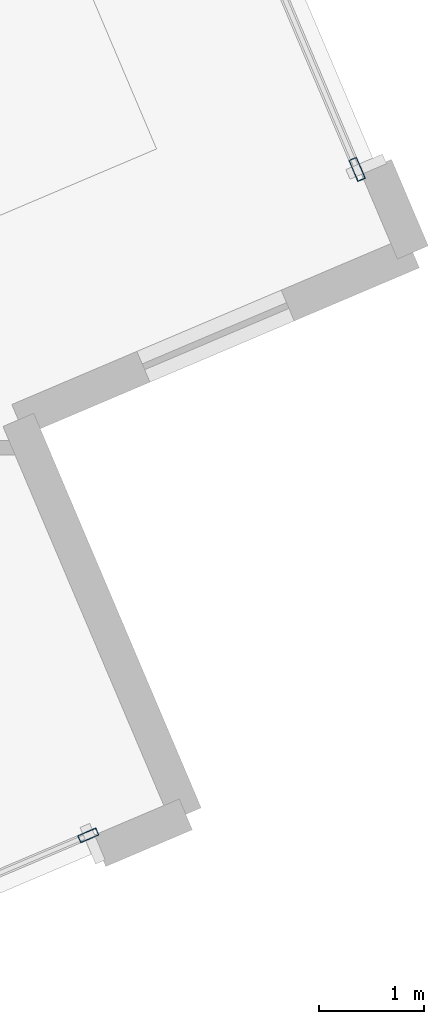
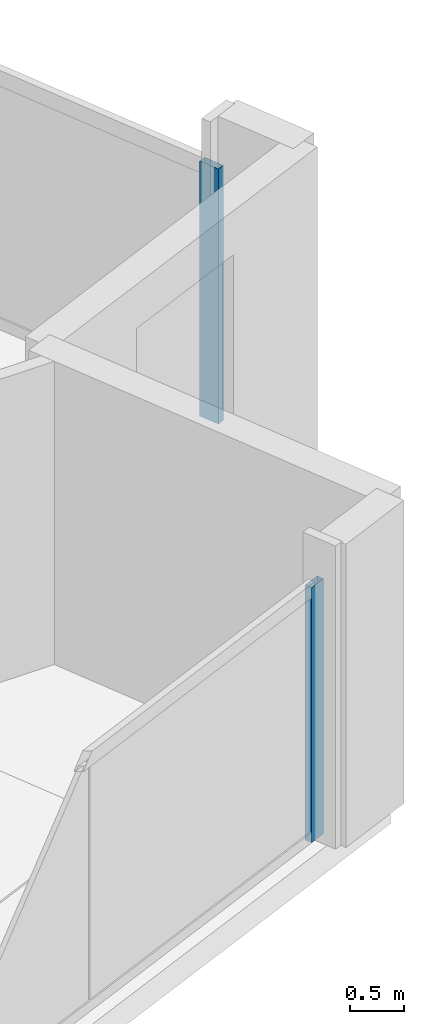
# One storey, part 12 of 34: 2 members, 2 elements without a shape of their own.
"""IFC4 building model written with IfcOpenShell, lengths in metres."""

import ifcopenshell
import ifcopenshell.guid

model = None  # the IFC model being written
_history = None  # IfcOwnerHistory: only IFC2X3 demands one
_inside = {}  # id of a spatial element -> (the spatial element, [elements in it])
_under = {}  # id of a project, library or spatial element -> (it, [spatial elements below it])
_declared = {}  # id of a project -> (the project, [libraries it declares])
_typed = {}  # id of a type object -> (the type object, [elements of that type])
_made_of = {}  # id of a material, layer set ... -> (it, [elements and type objects made of it])


def new_model(schema):
    """Start an empty IFC model of exactly this schema.

    Asked for "IFC4X3", IfcOpenShell would pick the latest addendum, in which some entities
    have other attributes; the version numbers below select the first issue.
    IFC2X3 requires an IfcOwnerHistory on every rooted entity: one is made here for all.
    """
    global model, _history
    if schema == "IFC4X3":
        model = ifcopenshell.file(schema_version=(4, 3, 0, 0))
    else:
        model = ifcopenshell.file(schema=schema)
    _inside.clear()
    _under.clear()
    _declared.clear()
    _typed.clear()
    _made_of.clear()
    _history = None
    if model.schema == "IFC2X3":
        org = make("IfcOrganization", Name="unknown")
        user = make(
            "IfcPersonAndOrganization",
            ThePerson=make("IfcPerson", FamilyName="unknown"),
            TheOrganization=org,
        )
        app = make(
            "IfcApplication",
            ApplicationDeveloper=org,
            Version="unknown",
            ApplicationFullName="unknown",
            ApplicationIdentifier="unknown",
        )
        _history = make(
            "IfcOwnerHistory",
            OwningUser=user,
            OwningApplication=app,
            ChangeAction="ADDED",
            CreationDate=0,
        )
    return model


def make(cls, **values):
    """One entity of the class cls with the attributes given. An attribute that is None is left unset."""
    return model.create_entity(
        cls, **{name: value for name, value in values.items() if value is not None}
    )


def rooted(cls, **values):
    """An entity with a GlobalId (a new one), such as an element, a storey or a relation."""
    return make(cls, GlobalId=ifcopenshell.guid.new(), OwnerHistory=_history, **values)


def si_unit(unit_type, name, prefix=None):
    """IfcSIUnit, for example si_unit("LENGTHUNIT", "METRE", prefix="MILLI")."""
    return make("IfcSIUnit", UnitType=unit_type, Prefix=prefix, Name=name)


def assignment(units):
    """IfcUnitAssignment: the units of a project."""
    return None if units is None else make("IfcUnitAssignment", Units=units)


def point(xyz):
    """IfcCartesianPoint."""
    return None if xyz is None else make("IfcCartesianPoint", Coordinates=xyz)


def direction(xyz):
    """IfcDirection."""
    return None if xyz is None else make("IfcDirection", DirectionRatios=xyz)


def frame(location, z_axis=None, x_axis=None):
    """IfcAxis2Placement3D, a coordinate frame: its origin and axes. An axis left out is left unset."""
    return make(
        "IfcAxis2Placement3D",
        Location=point(location),
        Axis=direction(z_axis),
        RefDirection=direction(x_axis),
    )


def frame_2d(location, x_axis=None):
    """IfcAxis2Placement2D, a coordinate frame in the plane: its origin and x axis."""
    return make(
        "IfcAxis2Placement2D", Location=point(location), RefDirection=direction(x_axis)
    )


def origin():
    """The frame at (0, 0, 0) with its axes left unset."""
    return frame((0.0, 0.0, 0.0))


def origin_2d():
    """The frame at (0, 0) in the plane with its x axis left unset."""
    return frame_2d((0.0, 0.0))


def place(relative_to, where):
    """IfcLocalPlacement: puts the frame where relative to a parent placement (None: the world)."""
    return make(
        "IfcLocalPlacement", PlacementRelTo=relative_to, RelativePlacement=where
    )


def context(
    kind, dimensions, precision=None, world=None, true_north=None, identifier=None
):
    """IfcGeometricRepresentationContext, for example the 3D "Model" context."""
    return make(
        "IfcGeometricRepresentationContext",
        ContextIdentifier=identifier,
        ContextType=kind,
        CoordinateSpaceDimension=dimensions,
        Precision=precision,
        WorldCoordinateSystem=world,
        TrueNorth=true_north,
    )


def subcontext(parent, identifier, kind, view, scale=None):
    """IfcGeometricRepresentationSubContext, for example "Body" below "Model"."""
    return make(
        "IfcGeometricRepresentationSubContext",
        ContextIdentifier=identifier,
        ContextType=kind,
        ParentContext=parent,
        TargetScale=scale,
        TargetView=view,
    )


def project(units=None, contexts=None):
    """IfcProject with its units and contexts."""
    return rooted(
        "IfcProject",
        Name="project",
        RepresentationContexts=contexts,
        UnitsInContext=assignment(units),
    )


def spatial(cls, under=None, at=None, **own):
    """A site, building, storey or space (cls), placed at a placement, below another one or the project."""
    s = rooted(cls, ObjectPlacement=at, **own)
    if under is not None:
        _under.setdefault(under.id(), (under, []))[1].append(s)
    return s


def profile(cls, at=None, kind="AREA", **sizes):
    """A parametric profile (cls). Its sizes go by their IFC names, for example OverallWidth=200.0."""
    return make(cls, ProfileType=kind, Position=at, **sizes)


def hollow_rectangle(**sizes):
    """IfcRectangleHollowProfileDef."""
    return profile("IfcRectangleHollowProfileDef", **sizes)


def extrude(swept, where, along, depth):
    """IfcExtrudedAreaSolid: the profile swept, set in the frame where, extruded along a direction by depth."""
    return make(
        "IfcExtrudedAreaSolid",
        SweptArea=swept,
        Position=where,
        ExtrudedDirection=direction(along),
        Depth=depth,
    )


def shape(context_of_items, identifier, shape_type, items):
    """IfcShapeRepresentation: the items that make up one representation, for example the "Body"."""
    return make(
        "IfcShapeRepresentation",
        ContextOfItems=context_of_items,
        RepresentationIdentifier=identifier,
        RepresentationType=shape_type,
        Items=items,
    )


def material(Name=None, Category=None):
    """IfcMaterial."""
    return make("IfcMaterial", Name=Name, Category=Category)


def material_profile(
    of_material, cross_section, Name=None, Category=None, Priority=None
):
    """IfcMaterialProfile: a cross section and its material."""
    return make(
        "IfcMaterialProfile",
        Name=Name,
        Material=of_material,
        Profile=cross_section,
        Priority=Priority,
        Category=Category,
    )


def profile_set(profiles, Name=None, composite=None):
    """IfcMaterialProfileSet."""
    return make(
        "IfcMaterialProfileSet",
        Name=Name,
        MaterialProfiles=profiles,
        CompositeProfile=composite,
    )


def made_of(thing, what):
    """Note that an element or type object is made of a material, layer set ...; save() writes the relation."""
    if what is not None:
        _made_of.setdefault(what.id(), (what, []))[1].append(thing)
    return thing


def type_object(cls, material=None, **own):
    """A type object (cls), such as IfcWallType, which elements share."""
    return made_of(rooted(cls, **own), material)


def element(
    cls,
    number,
    at=None,
    inside=None,
    cuts=None,
    type_object=None,
    material=None,
    context=None,
    identifier="Body",
    shape_type=None,
    held_by="IfcProductDefinitionShape",
    body=None,
    shapes=None,
    **own,
):
    """One element of the class cls, such as IfcWall. Its Tag is "e" and its number.

    at: its placement. inside: the storey or other place that contains it. cuts: it is an
    opening in that element (IfcRelVoidsElement). A single representation is given by context,
    identifier, shape_type and body (its items); several are given by shapes. held_by: the class
    of the entity that holds the representations. save() writes the other relations.
    """
    e = rooted(cls, Tag="e%d" % number, ObjectPlacement=at, **own)
    if body is not None:
        shapes = [shape(context, identifier, shape_type, body)]
    if shapes is not None:
        e.Representation = make(held_by, Representations=shapes)
    if inside is not None:
        _inside.setdefault(inside.id(), (inside, []))[1].append(e)
    if cuts is not None:
        rooted(
            "IfcRelVoidsElement", RelatingBuildingElement=cuts, RelatedOpeningElement=e
        )
    if type_object is not None:
        _typed.setdefault(type_object.id(), (type_object, []))[1].append(e)
    return made_of(e, material)


def aggregate(whole, parts):
    """IfcRelAggregates: a whole, such as a stair, and the parts it consists of."""
    return rooted("IfcRelAggregates", RelatingObject=whole, RelatedObjects=parts)


def save(model, path):
    """Write the relations noted so far, then the file.

    IfcRelAggregates (storeys below a building ...), IfcRelContainedInSpatialStructure (elements
    in a storey), IfcRelDefinesByType, IfcRelAssociatesMaterial and IfcRelDeclares: one each for
    every whole, place, type object, material and project.
    """
    for whole, parts in _under.values():
        aggregate(whole, parts)
    for where, things in _inside.values():
        rooted(
            "IfcRelContainedInSpatialStructure",
            RelatedElements=things,
            RelatingStructure=where,
        )
    for kind, things in _typed.values():
        rooted("IfcRelDefinesByType", RelatedObjects=things, RelatingType=kind)
    for what, things in _made_of.values():
        rooted("IfcRelAssociatesMaterial", RelatedObjects=things, RelatingMaterial=what)
    for by, libraries in _declared.values():
        rooted("IfcRelDeclares", RelatingContext=by, RelatedDefinitions=libraries)
    model.write(path)


model = new_model("IFC4")

# Units and contexts
model_context = context("Model", 3, precision=1e-05, world=origin(), true_north=direction((0.0, 1.0)))
body_context = subcontext(model_context, "Body", "Model", "MODEL_VIEW")
ifc_project = project(units=[si_unit("LENGTHUNIT", "METRE"), si_unit("AREAUNIT", "SQUARE_METRE"), si_unit("VOLUMEUNIT", "CUBIC_METRE"), si_unit("PLANEANGLEUNIT", "RADIAN"), si_unit("MASSUNIT", "GRAM", prefix="KILO")], contexts=[model_context])

# Site, building, storey
site_placement = place(None, origin())
site = spatial("IfcSite", under=ifc_project, at=site_placement, CompositionType="ELEMENT")
building_placement = place(site_placement, origin())
building = spatial("IfcBuilding", under=site, at=building_placement, Name="Haldenkirk Collegiate Tower", CompositionType="ELEMENT")
storey_placement = place(building_placement, frame((0.0, 0.0, 105.449951171875)))
storey = spatial("IfcBuildingStorey", under=building, at=storey_placement, Name="L25", CompositionType="ELEMENT", Elevation=105.449951171875)

# Curtain wall, member
ifc_material = material(Name="Anodised architectural bronze aluminium", Category="aluminium")
curtain_wall_type_1 = type_object("IfcCurtainWallType", Name="CW-SYS2-CONCAVE", PredefinedType="USERDEFINED", material=ifc_material)
curtain_wall_1_placement = place(storey_placement, origin())
curtain_wall_1 = element("IfcCurtainWall", 1, at=curtain_wall_1_placement, inside=storey, type_object=curtain_wall_type_1, Name="L25 South concave recessed bronze-anodised curtain wall", ObjectType="UNITISED CURTAIN WALL", PredefinedType="USERDEFINED")
ifc_material_profile_1 = material_profile(ifc_material, hollow_rectangle(XDim=0.074951171875, YDim=0.18994140625, WallThickness=0.0048828125, at=origin_2d()), Name="CW-MUL-02")
ifc_profile_set_1 = profile_set([ifc_material_profile_1], Name="Anodised architectural bronze aluminium")
member_type_1 = type_object("IfcMemberType", Name="CW-MUL-02", PredefinedType="MULLION", material=ifc_profile_set_1)
member_1_placement = place(storey_placement, frame((64.890625, 11.843017578125, 0.0), z_axis=(0.0, 0.0, 1.0), x_axis=(0.390730945162, -0.92050493127, 0.0)))
member_1 = element("IfcMember", 2, at=member_1_placement, type_object=member_type_1, Name="CW-02 mullion 1", PredefinedType="MULLION", context=body_context, shape_type="SweptSolid", body=[
    extrude(hollow_rectangle(XDim=0.074951171875, YDim=0.18994140625, WallThickness=0.0048828125, at=origin_2d()), origin(), (0.0, 0.0, 1.0), 2.901123046875),
])
aggregate(curtain_wall_1, [member_1])

curtain_wall_type_2 = type_object("IfcCurtainWallType", Name="CW-SYS1-CONVEX-LOW", PredefinedType="USERDEFINED", material=ifc_material)
curtain_wall_2_placement = place(storey_placement, origin())
curtain_wall_2 = element("IfcCurtainWall", 3, at=curtain_wall_2_placement, inside=storey, type_object=curtain_wall_type_2, Name="L25 Lower tower convex bronze-framed unitised curtain wall", ObjectType="UNITISED CURTAIN WALL", PredefinedType="USERDEFINED")
ifc_material_profile_2 = material_profile(ifc_material, hollow_rectangle(XDim=0.080078125, YDim=0.219970703125, WallThickness=0.0048828125, at=origin_2d()), Name="CW-MUL-1A")
ifc_profile_set_2 = profile_set([ifc_material_profile_2], Name="Anodised architectural bronze aluminium")
member_type_2 = type_object("IfcMemberType", Name="CW-MUL-1A", PredefinedType="MULLION", material=ifc_profile_set_2)
member_2_placement = place(storey_placement, frame((67.463134765625, 18.21484375, 0.0), z_axis=(0.0, 0.0, 1.0), x_axis=(0.920505471827, 0.390729671687, 0.0)))
member_2 = element("IfcMember", 4, at=member_2_placement, type_object=member_type_2, Name="CW-1A mullion 5", PredefinedType="MULLION", context=body_context, shape_type="SweptSolid", body=[
    extrude(hollow_rectangle(XDim=0.080078125, YDim=0.219970703125, WallThickness=0.0048828125, at=origin_2d()), origin(), (0.0, 0.0, 1.0), 2.901123046875),
])
aggregate(curtain_wall_2, [member_2])

save(model, "model.ifc")
